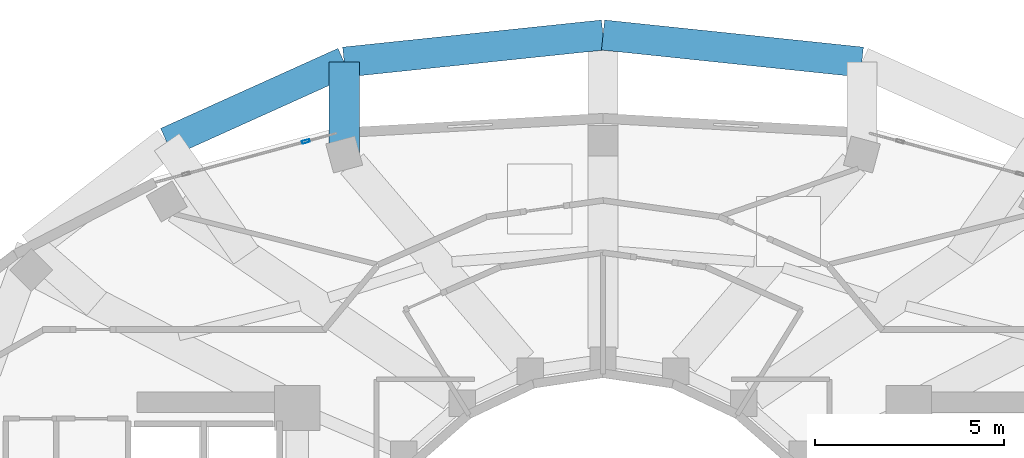
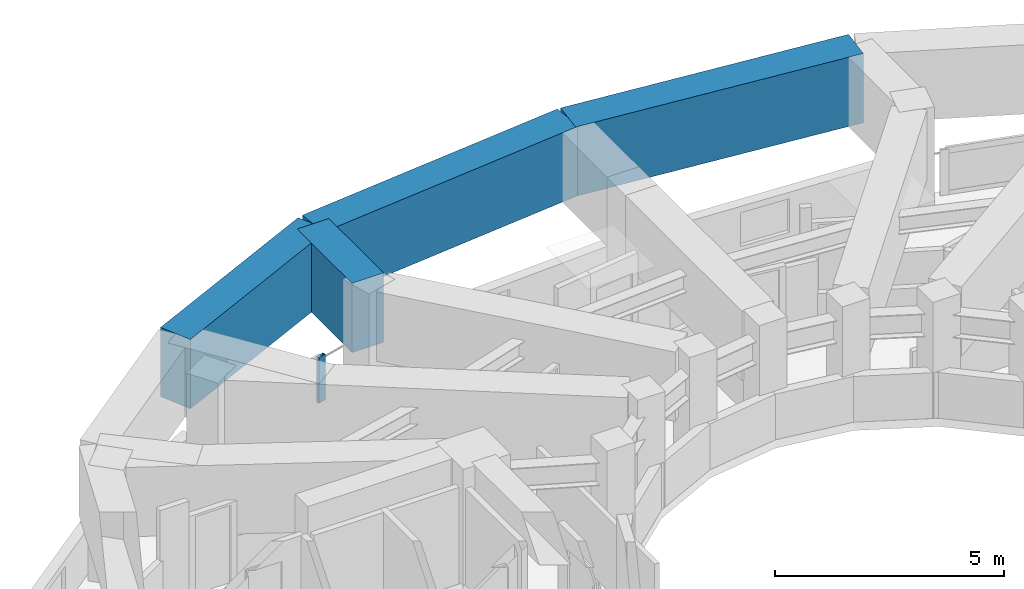
# One storey, part 11 of 20: 4 beams, 1 member, 1 element without a shape of its own.
"""IFC4 building model written with IfcOpenShell, lengths in metres."""

from ifc_helpers import new_model, si_unit, direction, frame, origin, origin_2d, place, context, subcontext, project, spatial, rectangle, hollow_rectangle, extrude, material, layer, layer_set, material_profile, profile_set, type_object, element, aggregate, save


model = new_model("IFC4")

# Units and contexts
model_context = context("Model", 3, precision=1e-05, world=origin(), true_north=direction((0.0, 1.0)))
body_context = subcontext(model_context, "Body", "Model", "MODEL_VIEW")
ifc_project = project(units=[si_unit("LENGTHUNIT", "METRE"), si_unit("AREAUNIT", "SQUARE_METRE"), si_unit("VOLUMEUNIT", "CUBIC_METRE"), si_unit("PLANEANGLEUNIT", "RADIAN"), si_unit("MASSUNIT", "GRAM", prefix="KILO")], contexts=[model_context])

# Site, building, storey
site_placement = place(None, origin())
site = spatial("IfcSite", under=ifc_project, at=site_placement, CompositionType="ELEMENT")
building_placement = place(site_placement, origin())
building = spatial("IfcBuilding", under=site, at=building_placement, Name="Solvane Sanctuary Tower", CompositionType="ELEMENT")
storey_placement = place(building_placement, frame((0.0, 0.0, 217.10009765625)))
storey = spatial("IfcBuildingStorey", under=building, at=storey_placement, Name="L66", CompositionType="ELEMENT", Elevation=217.10009765625)

# Beams
ifc_material_1 = material(Name="Concrete C70/85", Category="concrete")
ifc_material_profile_1 = material_profile(ifc_material_1, rectangle(XDim=0.800048828125, YDim=1.85009765625, at=origin_2d()), Name="RC800X1850")
ifc_profile_set_1 = profile_set([ifc_material_profile_1], Name="Concrete C70/85")
beam_type = type_object("IfcBeamType", Name="Beam B-XFER-BLK RC800X1850", PredefinedType="BEAM", material=ifc_profile_set_1)
beam_1_placement = place(storey_placement, frame((25.143798828125, 36.96435546875, 2.1748046875), z_axis=(0.0, 1.0, 0.0), x_axis=(-1.0, 0.0, 0.0)))
element("IfcBeam", 1, at=beam_1_placement, inside=storey, type_object=beam_type, Name="L66 Block-Shift Transfer Tie 05B", PredefinedType="BEAM", context=body_context, shape_type="SweptSolid", body=[
    extrude(rectangle(XDim=0.800048828125, YDim=1.85009765625, at=origin_2d()), origin(), (0.0, 0.0, 1.0), 2.39794921875),
])
beam_2_placement = place(storey_placement, frame((20.44482421875, 37.241455078125, 2.1748046875), z_axis=(0.911462833157, 0.411382430074, 0.0), x_axis=(-0.411382430074, 0.911462833157, 0.0)))
element("IfcBeam", 2, at=beam_2_placement, inside=storey, type_object=beam_type, Name="L66 Perimeter Step Transfer Ring NTC06-NTC05", PredefinedType="BEAM", context=body_context, shape_type="SweptSolid", body=[
    extrude(rectangle(XDim=0.800048828125, YDim=1.85009765625, at=origin_2d()), origin(), (0.0, 0.0, 1.0), 5.155517578125),
])
for number, where, z_axis, x_axis, name in (
    (3, (25.143798828125, 39.3623046875, 2.1748046875), (0.994564674006, 0.104120647423, 0.0), (-0.104120647423, 0.994564674006, 0.0), "L66 Perimeter Step Transfer Ring NTC05-NTC04"),
    (4, (32.0, 40.080078125, 2.1748046875), (0.994564674006, -0.104120647423, 0.0), (0.104120647423, 0.994564674006, 0.0), "L66 Perimeter Step Transfer Ring NTC04-NTC03"),
):
    element("IfcBeam", number, at=place(storey_placement, frame(where, z_axis=z_axis, x_axis=x_axis)), inside=storey, type_object=beam_type, Name=name, PredefinedType="BEAM", context=body_context, shape_type="SweptSolid", body=[
        extrude(rectangle(XDim=0.800048828125, YDim=1.85009765625, at=origin_2d()), origin(), (0.0, 0.0, 1.0), 6.8935546875),
    ])

# Curtain wall, member
ifc_material_2 = material(Name="Anodised Aluminium 6063-T6", Category="aluminium")
ifc_layer = layer(ifc_material_2, 0.18994140625, Name="Anodised Aluminium 6063-T6")
ifc_layer_set = layer_set([ifc_layer], Name="Anodised Aluminium 6063-T6")
curtain_wall_type = type_object("IfcCurtainWallType", Name="Curtain Wall CW-OPER", PredefinedType="NOTDEFINED", material=ifc_layer_set)
curtain_wall_placement = place(storey_placement, origin())
curtain_wall = element("IfcCurtainWall", 5, at=curtain_wall_placement, inside=storey, type_object=curtain_wall_type, Name="L66 CW-OPER Facade Run 07", PredefinedType="NOTDEFINED")
ifc_material_profile_2 = material_profile(ifc_material_2, hollow_rectangle(XDim=0.074951171875, YDim=0.199951171875, WallThickness=0.00390625, at=origin_2d()), Name="ALU200X75X4")
ifc_profile_set_2 = profile_set([ifc_material_profile_2], Name="Anodised Aluminium 6063-T6")
member_type = type_object("IfcMemberType", Name="Member M-CW-MUL-1 ALU200X75X4", PredefinedType="MULLION", material=ifc_profile_set_2)
member_placement = place(storey_placement, frame((24.12939453125, 37.260498046875, 0.0), z_axis=(0.0, 0.0, 1.0), x_axis=(0.261468027073, -0.965212137728, 0.0)))
member = element("IfcMember", 6, at=member_placement, type_object=member_type, Name="CW-OPER mullion 1", PredefinedType="MULLION", context=body_context, shape_type="SweptSolid", body=[
    extrude(hollow_rectangle(XDim=0.074951171875, YDim=0.199951171875, WallThickness=0.00390625, at=origin_2d()), origin(), (0.0, 0.0, 1.0), 1.219970703125),
])
aggregate(curtain_wall, [member])

save(model, "model.ifc")
